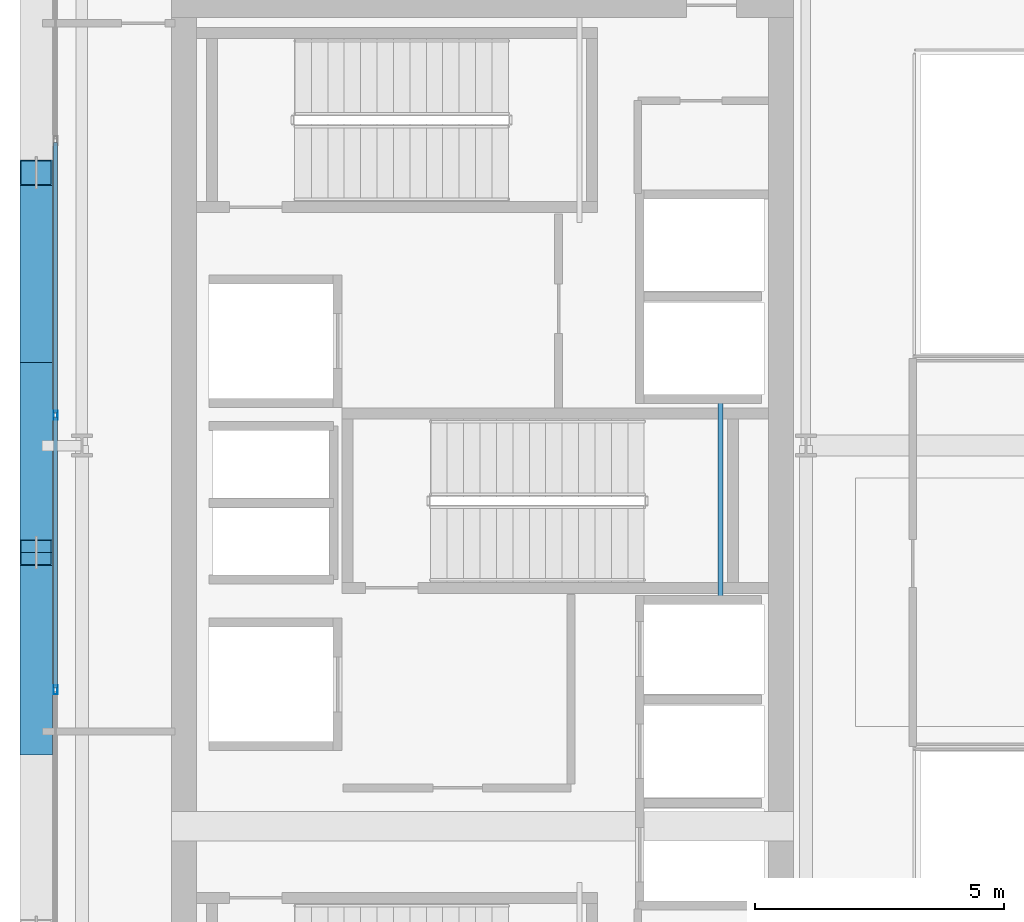
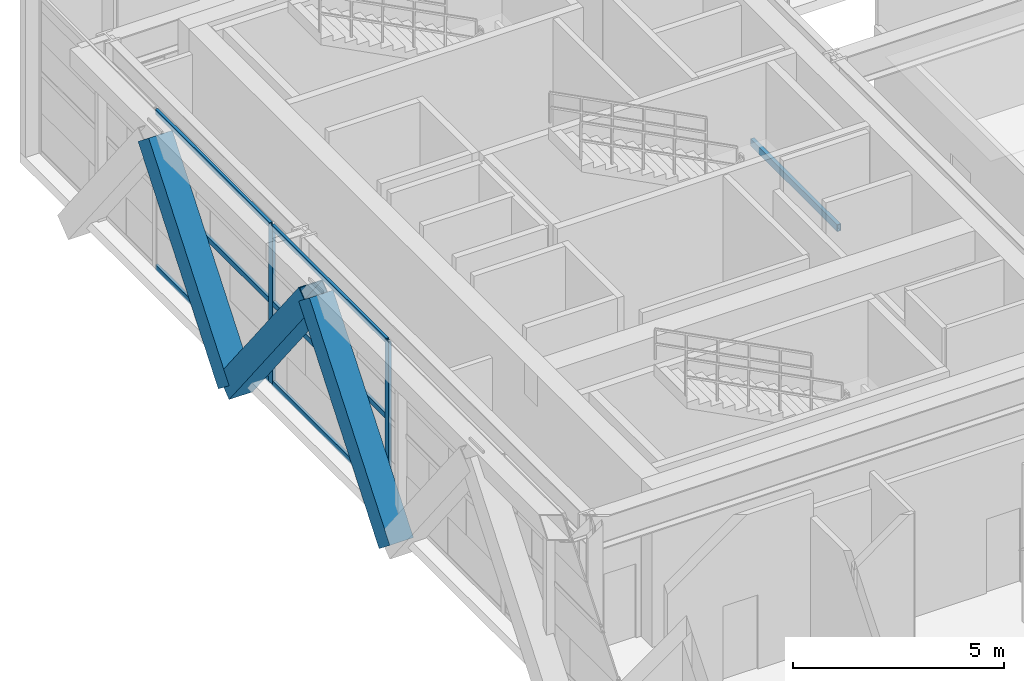
# One storey, part 6 of 31: 11 members, 1 beam, 1 element without a shape of its own.
"""IFC4 building model written with IfcOpenShell, lengths in metres."""

import ifcopenshell
import ifcopenshell.guid

model = None  # the IFC model being written
_history = None  # IfcOwnerHistory: only IFC2X3 demands one
_inside = {}  # id of a spatial element -> (the spatial element, [elements in it])
_under = {}  # id of a project, library or spatial element -> (it, [spatial elements below it])
_declared = {}  # id of a project -> (the project, [libraries it declares])
_typed = {}  # id of a type object -> (the type object, [elements of that type])
_made_of = {}  # id of a material, layer set ... -> (it, [elements and type objects made of it])


def new_model(schema):
    """Start an empty IFC model of exactly this schema.

    Asked for "IFC4X3", IfcOpenShell would pick the latest addendum, in which some entities
    have other attributes; the version numbers below select the first issue.
    IFC2X3 requires an IfcOwnerHistory on every rooted entity: one is made here for all.
    """
    global model, _history
    if schema == "IFC4X3":
        model = ifcopenshell.file(schema_version=(4, 3, 0, 0))
    else:
        model = ifcopenshell.file(schema=schema)
    _inside.clear()
    _under.clear()
    _declared.clear()
    _typed.clear()
    _made_of.clear()
    _history = None
    if model.schema == "IFC2X3":
        org = make("IfcOrganization", Name="unknown")
        user = make(
            "IfcPersonAndOrganization",
            ThePerson=make("IfcPerson", FamilyName="unknown"),
            TheOrganization=org,
        )
        app = make(
            "IfcApplication",
            ApplicationDeveloper=org,
            Version="unknown",
            ApplicationFullName="unknown",
            ApplicationIdentifier="unknown",
        )
        _history = make(
            "IfcOwnerHistory",
            OwningUser=user,
            OwningApplication=app,
            ChangeAction="ADDED",
            CreationDate=0,
        )
    return model


def make(cls, **values):
    """One entity of the class cls with the attributes given. An attribute that is None is left unset."""
    return model.create_entity(
        cls, **{name: value for name, value in values.items() if value is not None}
    )


def rooted(cls, **values):
    """An entity with a GlobalId (a new one), such as an element, a storey or a relation."""
    return make(cls, GlobalId=ifcopenshell.guid.new(), OwnerHistory=_history, **values)


def si_unit(unit_type, name, prefix=None):
    """IfcSIUnit, for example si_unit("LENGTHUNIT", "METRE", prefix="MILLI")."""
    return make("IfcSIUnit", UnitType=unit_type, Prefix=prefix, Name=name)


def assignment(units):
    """IfcUnitAssignment: the units of a project."""
    return None if units is None else make("IfcUnitAssignment", Units=units)


def point(xyz):
    """IfcCartesianPoint."""
    return None if xyz is None else make("IfcCartesianPoint", Coordinates=xyz)


def direction(xyz):
    """IfcDirection."""
    return None if xyz is None else make("IfcDirection", DirectionRatios=xyz)


def frame(location, z_axis=None, x_axis=None):
    """IfcAxis2Placement3D, a coordinate frame: its origin and axes. An axis left out is left unset."""
    return make(
        "IfcAxis2Placement3D",
        Location=point(location),
        Axis=direction(z_axis),
        RefDirection=direction(x_axis),
    )


def frame_2d(location, x_axis=None):
    """IfcAxis2Placement2D, a coordinate frame in the plane: its origin and x axis."""
    return make(
        "IfcAxis2Placement2D", Location=point(location), RefDirection=direction(x_axis)
    )


def origin():
    """The frame at (0, 0, 0) with its axes left unset."""
    return frame((0.0, 0.0, 0.0))


def origin_2d():
    """The frame at (0, 0) in the plane with its x axis left unset."""
    return frame_2d((0.0, 0.0))


def place(relative_to, where):
    """IfcLocalPlacement: puts the frame where relative to a parent placement (None: the world)."""
    return make(
        "IfcLocalPlacement", PlacementRelTo=relative_to, RelativePlacement=where
    )


def context(
    kind, dimensions, precision=None, world=None, true_north=None, identifier=None
):
    """IfcGeometricRepresentationContext, for example the 3D "Model" context."""
    return make(
        "IfcGeometricRepresentationContext",
        ContextIdentifier=identifier,
        ContextType=kind,
        CoordinateSpaceDimension=dimensions,
        Precision=precision,
        WorldCoordinateSystem=world,
        TrueNorth=true_north,
    )


def subcontext(parent, identifier, kind, view, scale=None):
    """IfcGeometricRepresentationSubContext, for example "Body" below "Model"."""
    return make(
        "IfcGeometricRepresentationSubContext",
        ContextIdentifier=identifier,
        ContextType=kind,
        ParentContext=parent,
        TargetScale=scale,
        TargetView=view,
    )


def project(units=None, contexts=None):
    """IfcProject with its units and contexts."""
    return rooted(
        "IfcProject",
        Name="project",
        RepresentationContexts=contexts,
        UnitsInContext=assignment(units),
    )


def spatial(cls, under=None, at=None, **own):
    """A site, building, storey or space (cls), placed at a placement, below another one or the project."""
    s = rooted(cls, ObjectPlacement=at, **own)
    if under is not None:
        _under.setdefault(under.id(), (under, []))[1].append(s)
    return s


def profile(cls, at=None, kind="AREA", **sizes):
    """A parametric profile (cls). Its sizes go by their IFC names, for example OverallWidth=200.0."""
    return make(cls, ProfileType=kind, Position=at, **sizes)


def hollow_rectangle(**sizes):
    """IfcRectangleHollowProfileDef."""
    return profile("IfcRectangleHollowProfileDef", **sizes)


def extrude(swept, where, along, depth):
    """IfcExtrudedAreaSolid: the profile swept, set in the frame where, extruded along a direction by depth."""
    return make(
        "IfcExtrudedAreaSolid",
        SweptArea=swept,
        Position=where,
        ExtrudedDirection=direction(along),
        Depth=depth,
    )


def shape(context_of_items, identifier, shape_type, items):
    """IfcShapeRepresentation: the items that make up one representation, for example the "Body"."""
    return make(
        "IfcShapeRepresentation",
        ContextOfItems=context_of_items,
        RepresentationIdentifier=identifier,
        RepresentationType=shape_type,
        Items=items,
    )


def source(mapping_origin, context_of_items, identifier, shape_type, items):
    """IfcRepresentationMap: a shape defined once, which mapped items show again and again."""
    return make(
        "IfcRepresentationMap",
        MappingOrigin=mapping_origin,
        MappedRepresentation=shape(context_of_items, identifier, shape_type, items),
    )


def transform(
    local_origin,
    x_axis=None,
    y_axis=None,
    z_axis=None,
    scale=None,
    scale2=None,
    scale3=None,
    uniform=True,
):
    """IfcCartesianTransformationOperator3D, or its non-uniform kind. x_axis, y_axis, z_axis: its Axis1, 2, 3."""
    if uniform:
        return make(
            "IfcCartesianTransformationOperator3D",
            Axis1=direction(x_axis),
            Axis2=direction(y_axis),
            LocalOrigin=point(local_origin),
            Scale=scale,
            Axis3=direction(z_axis),
        )
    return make(
        "IfcCartesianTransformationOperator3DnonUniform",
        Axis1=direction(x_axis),
        Axis2=direction(y_axis),
        LocalOrigin=point(local_origin),
        Scale=scale,
        Axis3=direction(z_axis),
        Scale2=scale2,
        Scale3=scale3,
    )


def mapped(mapping_source, mapping_target):
    """IfcMappedItem: shows the shape of a source again, moved by a transform."""
    return make(
        "IfcMappedItem", MappingSource=mapping_source, MappingTarget=mapping_target
    )


def material(Name=None, Category=None):
    """IfcMaterial."""
    return make("IfcMaterial", Name=Name, Category=Category)


def layer(
    of_material, thickness, ventilated=None, Name=None, Category=None, Priority=None
):
    """IfcMaterialLayer: one layer of a wall or slab, of a material (None: an air gap)."""
    return make(
        "IfcMaterialLayer",
        Material=of_material,
        LayerThickness=thickness,
        IsVentilated=ventilated,
        Name=Name,
        Category=Category,
        Priority=Priority,
    )


def layer_set(layers, Name=None):
    """IfcMaterialLayerSet."""
    return make("IfcMaterialLayerSet", MaterialLayers=layers, LayerSetName=Name)


def material_profile(
    of_material, cross_section, Name=None, Category=None, Priority=None
):
    """IfcMaterialProfile: a cross section and its material."""
    return make(
        "IfcMaterialProfile",
        Name=Name,
        Material=of_material,
        Profile=cross_section,
        Priority=Priority,
        Category=Category,
    )


def profile_set(profiles, Name=None, composite=None):
    """IfcMaterialProfileSet."""
    return make(
        "IfcMaterialProfileSet",
        Name=Name,
        MaterialProfiles=profiles,
        CompositeProfile=composite,
    )


def made_of(thing, what):
    """Note that an element or type object is made of a material, layer set ...; save() writes the relation."""
    if what is not None:
        _made_of.setdefault(what.id(), (what, []))[1].append(thing)
    return thing


def type_object(cls, material=None, **own):
    """A type object (cls), such as IfcWallType, which elements share."""
    return made_of(rooted(cls, **own), material)


def element(
    cls,
    number,
    at=None,
    inside=None,
    cuts=None,
    type_object=None,
    material=None,
    context=None,
    identifier="Body",
    shape_type=None,
    held_by="IfcProductDefinitionShape",
    body=None,
    shapes=None,
    **own,
):
    """One element of the class cls, such as IfcWall. Its Tag is "e" and its number.

    at: its placement. inside: the storey or other place that contains it. cuts: it is an
    opening in that element (IfcRelVoidsElement). A single representation is given by context,
    identifier, shape_type and body (its items); several are given by shapes. held_by: the class
    of the entity that holds the representations. save() writes the other relations.
    """
    e = rooted(cls, Tag="e%d" % number, ObjectPlacement=at, **own)
    if body is not None:
        shapes = [shape(context, identifier, shape_type, body)]
    if shapes is not None:
        e.Representation = make(held_by, Representations=shapes)
    if inside is not None:
        _inside.setdefault(inside.id(), (inside, []))[1].append(e)
    if cuts is not None:
        rooted(
            "IfcRelVoidsElement", RelatingBuildingElement=cuts, RelatedOpeningElement=e
        )
    if type_object is not None:
        _typed.setdefault(type_object.id(), (type_object, []))[1].append(e)
    return made_of(e, material)


def aggregate(whole, parts):
    """IfcRelAggregates: a whole, such as a stair, and the parts it consists of."""
    return rooted("IfcRelAggregates", RelatingObject=whole, RelatedObjects=parts)


def save(model, path):
    """Write the relations noted so far, then the file.

    IfcRelAggregates (storeys below a building ...), IfcRelContainedInSpatialStructure (elements
    in a storey), IfcRelDefinesByType, IfcRelAssociatesMaterial and IfcRelDeclares: one each for
    every whole, place, type object, material and project.
    """
    for whole, parts in _under.values():
        aggregate(whole, parts)
    for where, things in _inside.values():
        rooted(
            "IfcRelContainedInSpatialStructure",
            RelatedElements=things,
            RelatingStructure=where,
        )
    for kind, things in _typed.values():
        rooted("IfcRelDefinesByType", RelatedObjects=things, RelatingType=kind)
    for what, things in _made_of.values():
        rooted("IfcRelAssociatesMaterial", RelatedObjects=things, RelatingMaterial=what)
    for by, libraries in _declared.values():
        rooted("IfcRelDeclares", RelatingContext=by, RelatedDefinitions=libraries)
    model.write(path)


model = new_model("IFC4")

# Units and contexts
model_context = context("Model", 3, precision=1e-05, world=origin(), true_north=direction((0.0, 1.0)))
body_context = subcontext(model_context, "Body", "Model", "MODEL_VIEW")
ifc_project = project(units=[si_unit("LENGTHUNIT", "METRE"), si_unit("AREAUNIT", "SQUARE_METRE"), si_unit("VOLUMEUNIT", "CUBIC_METRE"), si_unit("PLANEANGLEUNIT", "RADIAN"), si_unit("MASSUNIT", "GRAM", prefix="KILO")], contexts=[model_context])

# Site, building, storey
site_placement = place(None, origin())
site = spatial("IfcSite", under=ifc_project, at=site_placement, CompositionType="ELEMENT")
building_placement = place(site_placement, origin())
building = spatial("IfcBuilding", under=site, at=building_placement, Name="Ocotamira Hotel", CompositionType="ELEMENT")
storey_placement = place(building_placement, frame((0.0, 0.0, 228.0)))
storey = spatial("IfcBuildingStorey", under=building, at=storey_placement, Name="L57", CompositionType="ELEMENT", Elevation=228.0)

# Beam
ifc_material_1 = material(Name="Steel ASTM A500 Grade C", Category="steel")
ifc_material_profile_1 = material_profile(ifc_material_1, hollow_rectangle(XDim=0.10009765625, YDim=0.199951171875, WallThickness=0.008056640625, at=origin_2d()), Name="HSS200X100X8")
ifc_profile_set_1 = profile_set([ifc_material_profile_1], Name="Steel ASTM A500 Grade C")
beam_type = type_object("IfcBeamType", Name="BM-STLDG-HSS200", PredefinedType="BEAM", material=ifc_profile_set_1)
shared_shape_1 = source(origin(), body_context, "Body", "SweptSolid", [
    extrude(hollow_rectangle(XDim=0.10009765625, YDim=0.199951171875, WallThickness=0.008056640625, at=origin_2d()), origin(), (0.0, 0.0, 1.0), 4.1201171875),
])
beam_placement = place(storey_placement, frame((21.780029296875, 24.97998046875, 2.10009765625), z_axis=(0.0, 1.0, 0.0), x_axis=(-1.0, 0.0, 0.0)))
element("IfcBeam", 1, at=beam_placement, inside=storey, type_object=beam_type, Name="L57 Stair ST-3 Landing Bearer 1", PredefinedType="BEAM", context=body_context, shape_type="MappedRepresentation", body=[
    mapped(shared_shape_1, transform((0.0, 0.0, 0.0), scale=1.0)),
])

# Members
ifc_material_2 = material(Name="Pale-metal coated steel ASTM A913 Grade 65", Category="steel")
ifc_material_profile_2 = material_profile(ifc_material_2, hollow_rectangle(XDim=0.64990234375, YDim=0.64990234375, WallThickness=0.02197265625, at=origin_2d()), Name="BOX650X650X22")
ifc_profile_set_2 = profile_set([ifc_material_profile_2], Name="Pale-metal coated steel ASTM A913 Grade 65")
member_type_1 = type_object("IfcMemberType", Name="MEM-EXO-BOX650", PredefinedType="BRACE", material=ifc_profile_set_2)
shared_shape_2 = source(origin(), body_context, "Body", "SweptSolid", [
    extrude(hollow_rectangle(XDim=0.64990234375, YDim=0.64990234375, WallThickness=0.02197265625, at=origin_2d()), origin(), (0.0, 0.0, 1.0), 6.1796875),
])
for number, where, z_axis, x_axis, name in (
    (2, (8.030029296875, 22.183349609375, -0.530029296875), (0.0, 0.61762087854, 0.786475969366), (-1.0, 0.0, 0.0), "L57 Exoskeleton Diagrid W1.1"),
    (3, (8.030029296875, 29.816650390625, -0.530029296875), (0.0, -0.61762087854, 0.786475969366), (1.0, 0.0, 0.0), "L57 Exoskeleton Diagrid W1.2"),
    (4, (8.030029296875, 29.816650390625, -0.530029296875), (0.0, 0.61762087854, 0.786475969366), (-1.0, 0.0, 0.0), "L57 Exoskeleton Diagrid W2.1"),
):
    element("IfcMember", number, at=place(storey_placement, frame(where, z_axis=z_axis, x_axis=x_axis)), inside=storey, type_object=member_type_1, Name=name, PredefinedType="BRACE", context=body_context, shape_type="MappedRepresentation", body=[
        mapped(shared_shape_2, transform((0.0, 0.0, 0.0), scale=1.0)),
    ])

# Curtain wall, members
ifc_material_3 = material(Name="Anodised pale-metal aluminium and solar glass", Category="aluminium")
ifc_layer = layer(ifc_material_3, 0.239990234375)
ifc_layer_set = layer_set([ifc_layer], Name="Anodised pale-metal aluminium and solar glass")
curtain_wall_type = type_object("IfcCurtainWallType", Name="CW-SYS5-SKY", PredefinedType="NOTDEFINED", material=ifc_layer_set)
curtain_wall_placement = place(storey_placement, origin())
curtain_wall = element("IfcCurtainWall", 5, at=curtain_wall_placement, inside=storey, type_object=curtain_wall_type, Name="L57 Curtain Wall CW-5 CW-L57-W", PredefinedType="NOTDEFINED")
ifc_material_4 = material(Name="Anodised pale-metal aluminium 6063-T6", Category="aluminium")
ifc_material_profile_3 = material_profile(ifc_material_4, hollow_rectangle(XDim=0.074951171875, YDim=0.14990234375, WallThickness=0.006103515625, at=origin_2d()), Name="HSS150X75X6")
ifc_profile_set_3 = profile_set([ifc_material_profile_3], Name="Anodised pale-metal aluminium 6063-T6")
member_type_2 = type_object("IfcMemberType", Name="CWT-150X75", PredefinedType="USERDEFINED", material=ifc_profile_set_3)
shared_shape_3 = source(origin(), body_context, "Body", "SweptSolid", [
    extrude(hollow_rectangle(XDim=0.074951171875, YDim=0.14990234375, WallThickness=0.006103515625, at=origin_2d()), origin(), (0.0, 0.0, 1.0), 5.43994140625),
])
member_1_placement = place(storey_placement, frame((8.419921875, 23.280029296875, 0.03759765625), z_axis=(0.0, 1.0, 0.0), x_axis=(-1.0, 0.0, 0.0)))
member_1 = element("IfcMember", 6, at=member_1_placement, type_object=member_type_2, Name="CW-5 transom 3.1", ObjectType="TRANSOM", PredefinedType="USERDEFINED", context=body_context, shape_type="MappedRepresentation", body=[
    mapped(shared_shape_3, transform((0.0, 0.0, 0.0), scale=1.0)),
])
member_2_placement = place(storey_placement, frame((8.419921875, 23.280029296875, 2.35009765625), z_axis=(0.0, 1.0, 0.0), x_axis=(-1.0, 0.0, 0.0)))
member_2 = element("IfcMember", 7, at=member_2_placement, type_object=member_type_2, Name="CW-5 transom 3.2", ObjectType="TRANSOM", PredefinedType="USERDEFINED", context=body_context, shape_type="MappedRepresentation", body=[
    mapped(shared_shape_3, transform((0.0, 0.0, 0.0), scale=1.0)),
])
member_3_placement = place(storey_placement, frame((8.419921875, 23.280029296875, 4.54248046875), z_axis=(0.0, 1.0, 0.0), x_axis=(-1.0, 0.0, 0.0)))
member_3 = element("IfcMember", 8, at=member_3_placement, type_object=member_type_2, Name="CW-5 transom 3.3", ObjectType="TRANSOM", PredefinedType="USERDEFINED", context=body_context, shape_type="MappedRepresentation", body=[
    mapped(shared_shape_3, transform((0.0, 0.0, 0.0), scale=1.0)),
])
member_4_placement = place(storey_placement, frame((8.419921875, 28.800048828125, 0.03759765625), z_axis=(0.0, 1.0, 0.0), x_axis=(-1.0, 0.0, 0.0)))
member_4 = element("IfcMember", 9, at=member_4_placement, type_object=member_type_2, Name="CW-5 transom 4.1", ObjectType="TRANSOM", PredefinedType="USERDEFINED", context=body_context, shape_type="MappedRepresentation", body=[
    mapped(shared_shape_3, transform((0.0, 0.0, 0.0), scale=1.0)),
])
member_5_placement = place(storey_placement, frame((8.419921875, 28.800048828125, 2.35009765625), z_axis=(0.0, 1.0, 0.0), x_axis=(-1.0, 0.0, 0.0)))
member_5 = element("IfcMember", 10, at=member_5_placement, type_object=member_type_2, Name="CW-5 transom 4.2", ObjectType="TRANSOM", PredefinedType="USERDEFINED", context=body_context, shape_type="MappedRepresentation", body=[
    mapped(shared_shape_3, transform((0.0, 0.0, 0.0), scale=1.0)),
])
member_6_placement = place(storey_placement, frame((8.419921875, 28.800048828125, 4.54248046875), z_axis=(0.0, 1.0, 0.0), x_axis=(-1.0, 0.0, 0.0)))
member_6 = element("IfcMember", 11, at=member_6_placement, type_object=member_type_2, Name="CW-5 transom 4.3", ObjectType="TRANSOM", PredefinedType="USERDEFINED", context=body_context, shape_type="MappedRepresentation", body=[
    mapped(shared_shape_3, transform((0.0, 0.0, 0.0), scale=1.0)),
])
ifc_material_profile_4 = material_profile(ifc_material_4, hollow_rectangle(XDim=0.080078125, YDim=0.179931640625, WallThickness=0.006103515625, at=origin_2d()), Name="HSS180X80X6")
ifc_profile_set_4 = profile_set([ifc_material_profile_4], Name="Anodised pale-metal aluminium 6063-T6")
member_type_3 = type_object("IfcMemberType", Name="CWM-180X75", PredefinedType="MULLION", material=ifc_profile_set_4)
shared_shape_4 = source(origin(), body_context, "Body", "SweptSolid", [
    extrude(hollow_rectangle(XDim=0.080078125, YDim=0.179931640625, WallThickness=0.006103515625, at=origin_2d()), origin(), (0.0, 0.0, 1.0), 4.580078125),
])
member_7_placement = place(storey_placement, frame((8.419921875, 23.239990234375, 0.0), z_axis=(0.0, 0.0, 1.0), x_axis=(-1.0, 0.0, 0.0)))
member_7 = element("IfcMember", 12, at=member_7_placement, type_object=member_type_3, Name="CW-5 mullion 3", PredefinedType="MULLION", context=body_context, shape_type="MappedRepresentation", body=[
    mapped(shared_shape_4, transform((0.0, 0.0, 0.0), scale=1.0)),
])
member_8_placement = place(storey_placement, frame((8.419921875, 28.760009765625, 0.0), z_axis=(0.0, 0.0, 1.0), x_axis=(-1.0, 0.0, 0.0)))
member_8 = element("IfcMember", 13, at=member_8_placement, type_object=member_type_3, Name="CW-5 mullion 4", PredefinedType="MULLION", context=body_context, shape_type="MappedRepresentation", body=[
    mapped(shared_shape_4, transform((0.0, 0.0, 0.0), scale=1.0)),
])
aggregate(curtain_wall, [member_7, member_8, member_1, member_2, member_3, member_4, member_5, member_6])

save(model, "model.ifc")
